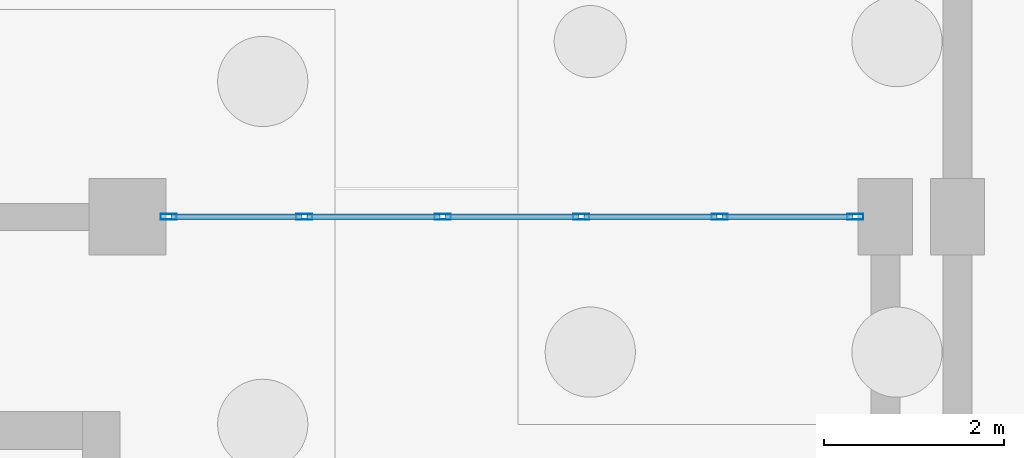
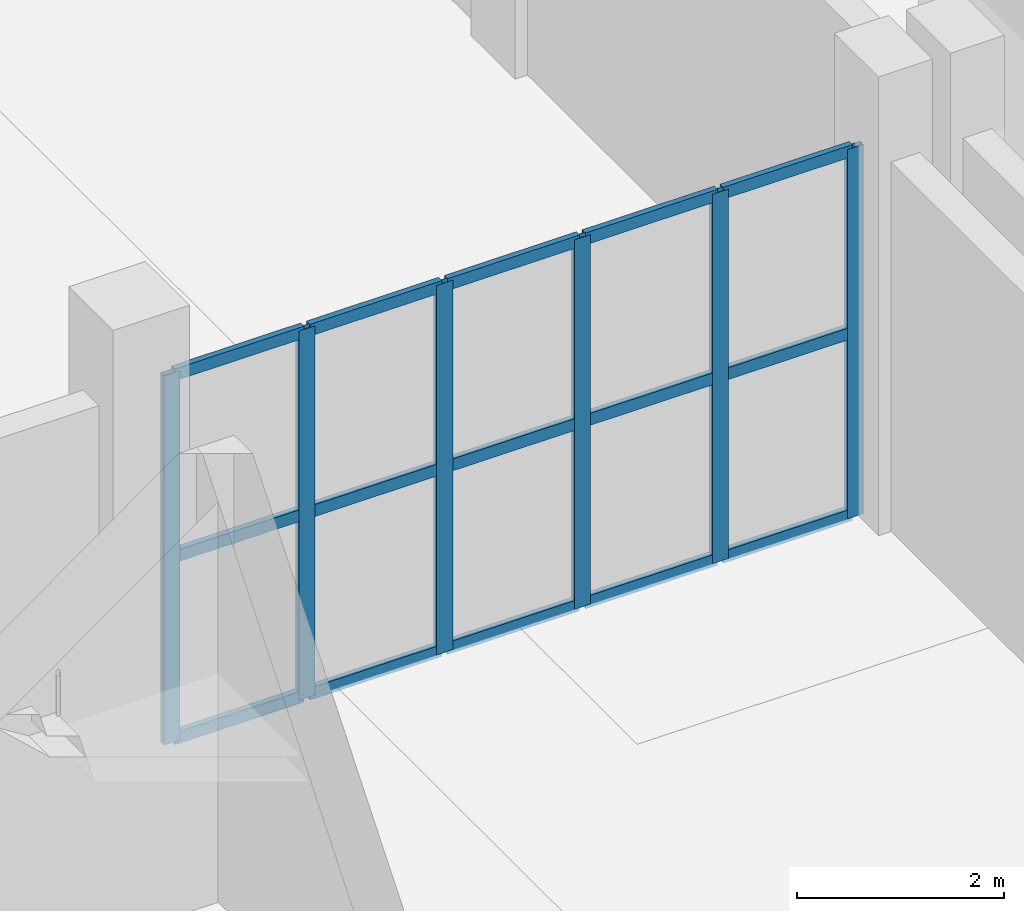
# One storey, part 44 of 98: 21 members, 1 element without a shape of its own.
"""IFC4 building model written with IfcOpenShell, lengths in metres."""

from ifc_helpers import new_model, si_unit, direction, frame, origin, origin_2d, place, context, subcontext, project, spatial, hollow_rectangle, extrude, material, layer, layer_set, material_profile, profile_set, type_object, element, aggregate, save


model = new_model("IFC4")

# Units and contexts
model_context = context("Model", 3, precision=1e-05, world=origin(), true_north=direction((0.0, 1.0)))
body_context = subcontext(model_context, "Body", "Model", "MODEL_VIEW")
ifc_project = project(units=[si_unit("LENGTHUNIT", "METRE"), si_unit("AREAUNIT", "SQUARE_METRE"), si_unit("VOLUMEUNIT", "CUBIC_METRE"), si_unit("PLANEANGLEUNIT", "RADIAN"), si_unit("MASSUNIT", "GRAM", prefix="KILO")], contexts=[model_context])

# Site, building, storey
site_placement = place(None, origin())
site = spatial("IfcSite", under=ifc_project, at=site_placement, CompositionType="ELEMENT")
building_placement = place(site_placement, origin())
building = spatial("IfcBuilding", under=site, at=building_placement, Name="Xazarin Passage Department Store", CompositionType="ELEMENT")
storey_placement = place(building_placement, origin())
storey = spatial("IfcBuildingStorey", under=building, at=storey_placement, Name="L00", CompositionType="ELEMENT", Elevation=0.0)

# Curtain wall, members
ifc_material = material(Name="Bronze anodised aluminium", Category="aluminium")
ifc_layer = layer(ifc_material, 0.169921875)
ifc_layer_set = layer_set([ifc_layer], Name="Bronze anodised aluminium")
curtain_wall_type = type_object("IfcCurtainWallType", Name="ARC-CW-ARC2", PredefinedType="NOTDEFINED", material=ifc_layer_set)
curtain_wall_placement = place(storey_placement, origin())
curtain_wall = element("IfcCurtainWall", 1, at=curtain_wall_placement, inside=storey, type_object=curtain_wall_type, Name="L00 V2N Curtain Wall 109", PredefinedType="NOTDEFINED")
ifc_material_profile_1 = material_profile(ifc_material, hollow_rectangle(XDim=0.06494140625, YDim=0.179931640625, WallThickness=0.00390625, at=origin_2d()), Name="ALU 65x180")
ifc_profile_set_1 = profile_set([ifc_material_profile_1], Name="Bronze anodised aluminium")
member_type_1 = type_object("IfcMemberType", Name="ARC-CWM-65x180", PredefinedType="MULLION", material=ifc_profile_set_1)
member_1_placement = place(storey_placement, frame((93.657470703125, 93.199951171875, 0.0), z_axis=(0.0, 0.0, 1.0), x_axis=(0.0, 1.0, 0.0)))
member_1 = element("IfcMember", 2, at=member_1_placement, type_object=member_type_1, Name="CW4 mullion 1", PredefinedType="MULLION", context=body_context, shape_type="SweptSolid", body=[
    extrude(hollow_rectangle(XDim=0.06494140625, YDim=0.179931640625, WallThickness=0.00390625, at=origin_2d()), origin(), (0.0, 0.0, 1.0), 4.35009765625),
])
member_2_placement = place(storey_placement, frame((95.159912109375, 93.199951171875, 0.0), z_axis=(0.0, 0.0, 1.0), x_axis=(0.0, 1.0, 0.0)))
member_2 = element("IfcMember", 3, at=member_2_placement, type_object=member_type_1, Name="CW4 mullion 2", PredefinedType="MULLION", context=body_context, shape_type="SweptSolid", body=[
    extrude(hollow_rectangle(XDim=0.06494140625, YDim=0.179931640625, WallThickness=0.00390625, at=origin_2d()), origin(), (0.0, 0.0, 1.0), 4.35009765625),
])
member_3_placement = place(storey_placement, frame((96.695068359375, 93.199951171875, 0.0), z_axis=(0.0, 0.0, 1.0), x_axis=(0.0, 1.0, 0.0)))
member_3 = element("IfcMember", 4, at=member_3_placement, type_object=member_type_1, Name="CW4 mullion 3", PredefinedType="MULLION", context=body_context, shape_type="SweptSolid", body=[
    extrude(hollow_rectangle(XDim=0.06494140625, YDim=0.179931640625, WallThickness=0.00390625, at=origin_2d()), origin(), (0.0, 0.0, 1.0), 4.35009765625),
])
member_4_placement = place(storey_placement, frame((98.22998046875, 93.199951171875, 0.0), z_axis=(0.0, 0.0, 1.0), x_axis=(0.0, 1.0, 0.0)))
member_4 = element("IfcMember", 5, at=member_4_placement, type_object=member_type_1, Name="CW4 mullion 4", PredefinedType="MULLION", context=body_context, shape_type="SweptSolid", body=[
    extrude(hollow_rectangle(XDim=0.06494140625, YDim=0.179931640625, WallThickness=0.00390625, at=origin_2d()), origin(), (0.0, 0.0, 1.0), 4.35009765625),
])
member_5_placement = place(storey_placement, frame((99.764892578125, 93.199951171875, 0.0), z_axis=(0.0, 0.0, 1.0), x_axis=(0.0, 1.0, 0.0)))
member_5 = element("IfcMember", 6, at=member_5_placement, type_object=member_type_1, Name="CW4 mullion 5", PredefinedType="MULLION", context=body_context, shape_type="SweptSolid", body=[
    extrude(hollow_rectangle(XDim=0.06494140625, YDim=0.179931640625, WallThickness=0.00390625, at=origin_2d()), origin(), (0.0, 0.0, 1.0), 4.35009765625),
])
member_6_placement = place(storey_placement, frame((101.267578125, 93.199951171875, 0.0), z_axis=(0.0, 0.0, 1.0), x_axis=(0.0, 1.0, 0.0)))
member_6 = element("IfcMember", 7, at=member_6_placement, type_object=member_type_1, Name="CW4 mullion 6", PredefinedType="MULLION", context=body_context, shape_type="SweptSolid", body=[
    extrude(hollow_rectangle(XDim=0.06494140625, YDim=0.179931640625, WallThickness=0.00390625, at=origin_2d()), origin(), (0.0, 0.0, 1.0), 4.35009765625),
])
ifc_material_profile_2 = material_profile(ifc_material, hollow_rectangle(XDim=0.06494140625, YDim=0.139892578125, WallThickness=0.00390625, at=origin_2d()), Name="ALU 65x140")
ifc_profile_set_2 = profile_set([ifc_material_profile_2], Name="Bronze anodised aluminium")
member_type_2 = type_object("IfcMemberType", Name="ARC-CWT-65x140", PredefinedType="USERDEFINED", material=ifc_profile_set_2)
member_7_placement = place(storey_placement, frame((93.68994140625, 93.199951171875, 0.032470703125), z_axis=(1.0, 0.0, 0.0), x_axis=(0.0, 1.0, 0.0)))
member_7 = element("IfcMember", 8, at=member_7_placement, type_object=member_type_2, Name="CW4 transom 1.1", ObjectType="TRANSOM", PredefinedType="USERDEFINED", context=body_context, shape_type="SweptSolid", body=[
    extrude(hollow_rectangle(XDim=0.06494140625, YDim=0.139892578125, WallThickness=0.00390625, at=origin_2d()), origin(), (0.0, 0.0, 1.0), 1.4375),
])
member_8_placement = place(storey_placement, frame((93.68994140625, 93.199951171875, 2.175048828125), z_axis=(1.0, 0.0, 0.0), x_axis=(0.0, 1.0, 0.0)))
member_8 = element("IfcMember", 9, at=member_8_placement, type_object=member_type_2, Name="CW4 transom 1.2", ObjectType="TRANSOM", PredefinedType="USERDEFINED", context=body_context, shape_type="SweptSolid", body=[
    extrude(hollow_rectangle(XDim=0.06494140625, YDim=0.139892578125, WallThickness=0.00390625, at=origin_2d()), origin(), (0.0, 0.0, 1.0), 1.4375),
])
member_9_placement = place(storey_placement, frame((93.68994140625, 93.199951171875, 4.3173828125), z_axis=(1.0, 0.0, 0.0), x_axis=(0.0, 1.0, 0.0)))
member_9 = element("IfcMember", 10, at=member_9_placement, type_object=member_type_2, Name="CW4 transom 1.3", ObjectType="TRANSOM", PredefinedType="USERDEFINED", context=body_context, shape_type="SweptSolid", body=[
    extrude(hollow_rectangle(XDim=0.06494140625, YDim=0.139892578125, WallThickness=0.00390625, at=origin_2d()), origin(), (0.0, 0.0, 1.0), 1.4375),
])
member_10_placement = place(storey_placement, frame((95.1923828125, 93.199951171875, 0.032470703125), z_axis=(1.0, 0.0, 0.0), x_axis=(0.0, 1.0, 0.0)))
member_10 = element("IfcMember", 11, at=member_10_placement, type_object=member_type_2, Name="CW4 transom 2.1", ObjectType="TRANSOM", PredefinedType="USERDEFINED", context=body_context, shape_type="SweptSolid", body=[
    extrude(hollow_rectangle(XDim=0.06494140625, YDim=0.139892578125, WallThickness=0.00390625, at=origin_2d()), origin(), (0.0, 0.0, 1.0), 1.47021484375),
])
member_11_placement = place(storey_placement, frame((95.1923828125, 93.199951171875, 2.175048828125), z_axis=(1.0, 0.0, 0.0), x_axis=(0.0, 1.0, 0.0)))
member_11 = element("IfcMember", 12, at=member_11_placement, type_object=member_type_2, Name="CW4 transom 2.2", ObjectType="TRANSOM", PredefinedType="USERDEFINED", context=body_context, shape_type="SweptSolid", body=[
    extrude(hollow_rectangle(XDim=0.06494140625, YDim=0.139892578125, WallThickness=0.00390625, at=origin_2d()), origin(), (0.0, 0.0, 1.0), 1.47021484375),
])
member_12_placement = place(storey_placement, frame((95.1923828125, 93.199951171875, 4.3173828125), z_axis=(1.0, 0.0, 0.0), x_axis=(0.0, 1.0, 0.0)))
member_12 = element("IfcMember", 13, at=member_12_placement, type_object=member_type_2, Name="CW4 transom 2.3", ObjectType="TRANSOM", PredefinedType="USERDEFINED", context=body_context, shape_type="SweptSolid", body=[
    extrude(hollow_rectangle(XDim=0.06494140625, YDim=0.139892578125, WallThickness=0.00390625, at=origin_2d()), origin(), (0.0, 0.0, 1.0), 1.47021484375),
])
member_13_placement = place(storey_placement, frame((96.7275390625, 93.199951171875, 0.032470703125), z_axis=(1.0, 0.0, 0.0), x_axis=(0.0, 1.0, 0.0)))
member_13 = element("IfcMember", 14, at=member_13_placement, type_object=member_type_2, Name="CW4 transom 3.1", ObjectType="TRANSOM", PredefinedType="USERDEFINED", context=body_context, shape_type="SweptSolid", body=[
    extrude(hollow_rectangle(XDim=0.06494140625, YDim=0.139892578125, WallThickness=0.00390625, at=origin_2d()), origin(), (0.0, 0.0, 1.0), 1.469970703125),
])
member_14_placement = place(storey_placement, frame((96.7275390625, 93.199951171875, 2.175048828125), z_axis=(1.0, 0.0, 0.0), x_axis=(0.0, 1.0, 0.0)))
member_14 = element("IfcMember", 15, at=member_14_placement, type_object=member_type_2, Name="CW4 transom 3.2", ObjectType="TRANSOM", PredefinedType="USERDEFINED", context=body_context, shape_type="SweptSolid", body=[
    extrude(hollow_rectangle(XDim=0.06494140625, YDim=0.139892578125, WallThickness=0.00390625, at=origin_2d()), origin(), (0.0, 0.0, 1.0), 1.469970703125),
])
member_15_placement = place(storey_placement, frame((96.7275390625, 93.199951171875, 4.3173828125), z_axis=(1.0, 0.0, 0.0), x_axis=(0.0, 1.0, 0.0)))
member_15 = element("IfcMember", 16, at=member_15_placement, type_object=member_type_2, Name="CW4 transom 3.3", ObjectType="TRANSOM", PredefinedType="USERDEFINED", context=body_context, shape_type="SweptSolid", body=[
    extrude(hollow_rectangle(XDim=0.06494140625, YDim=0.139892578125, WallThickness=0.00390625, at=origin_2d()), origin(), (0.0, 0.0, 1.0), 1.469970703125),
])
member_16_placement = place(storey_placement, frame((98.262451171875, 93.199951171875, 0.032470703125), z_axis=(1.0, 0.0, 0.0), x_axis=(0.0, 1.0, 0.0)))
member_16 = element("IfcMember", 17, at=member_16_placement, type_object=member_type_2, Name="CW4 transom 4.1", ObjectType="TRANSOM", PredefinedType="USERDEFINED", context=body_context, shape_type="SweptSolid", body=[
    extrude(hollow_rectangle(XDim=0.06494140625, YDim=0.139892578125, WallThickness=0.00390625, at=origin_2d()), origin(), (0.0, 0.0, 1.0), 1.469970703125),
])
member_17_placement = place(storey_placement, frame((98.262451171875, 93.199951171875, 2.175048828125), z_axis=(1.0, 0.0, 0.0), x_axis=(0.0, 1.0, 0.0)))
member_17 = element("IfcMember", 18, at=member_17_placement, type_object=member_type_2, Name="CW4 transom 4.2", ObjectType="TRANSOM", PredefinedType="USERDEFINED", context=body_context, shape_type="SweptSolid", body=[
    extrude(hollow_rectangle(XDim=0.06494140625, YDim=0.139892578125, WallThickness=0.00390625, at=origin_2d()), origin(), (0.0, 0.0, 1.0), 1.469970703125),
])
member_18_placement = place(storey_placement, frame((98.262451171875, 93.199951171875, 4.3173828125), z_axis=(1.0, 0.0, 0.0), x_axis=(0.0, 1.0, 0.0)))
member_18 = element("IfcMember", 19, at=member_18_placement, type_object=member_type_2, Name="CW4 transom 4.3", ObjectType="TRANSOM", PredefinedType="USERDEFINED", context=body_context, shape_type="SweptSolid", body=[
    extrude(hollow_rectangle(XDim=0.06494140625, YDim=0.139892578125, WallThickness=0.00390625, at=origin_2d()), origin(), (0.0, 0.0, 1.0), 1.469970703125),
])
member_19_placement = place(storey_placement, frame((99.797607421875, 93.199951171875, 0.032470703125), z_axis=(1.0, 0.0, 0.0), x_axis=(0.0, 1.0, 0.0)))
member_19 = element("IfcMember", 20, at=member_19_placement, type_object=member_type_2, Name="CW4 transom 5.1", ObjectType="TRANSOM", PredefinedType="USERDEFINED", context=body_context, shape_type="SweptSolid", body=[
    extrude(hollow_rectangle(XDim=0.06494140625, YDim=0.139892578125, WallThickness=0.00390625, at=origin_2d()), origin(), (0.0, 0.0, 1.0), 1.4375),
])
member_20_placement = place(storey_placement, frame((99.797607421875, 93.199951171875, 2.175048828125), z_axis=(1.0, 0.0, 0.0), x_axis=(0.0, 1.0, 0.0)))
member_20 = element("IfcMember", 21, at=member_20_placement, type_object=member_type_2, Name="CW4 transom 5.2", ObjectType="TRANSOM", PredefinedType="USERDEFINED", context=body_context, shape_type="SweptSolid", body=[
    extrude(hollow_rectangle(XDim=0.06494140625, YDim=0.139892578125, WallThickness=0.00390625, at=origin_2d()), origin(), (0.0, 0.0, 1.0), 1.4375),
])
member_21_placement = place(storey_placement, frame((99.797607421875, 93.199951171875, 4.3173828125), z_axis=(1.0, 0.0, 0.0), x_axis=(0.0, 1.0, 0.0)))
member_21 = element("IfcMember", 22, at=member_21_placement, type_object=member_type_2, Name="CW4 transom 5.3", ObjectType="TRANSOM", PredefinedType="USERDEFINED", context=body_context, shape_type="SweptSolid", body=[
    extrude(hollow_rectangle(XDim=0.06494140625, YDim=0.139892578125, WallThickness=0.00390625, at=origin_2d()), origin(), (0.0, 0.0, 1.0), 1.4375),
])
aggregate(curtain_wall, [member_1, member_2, member_3, member_4, member_5, member_6, member_7, member_8, member_9, member_10, member_11, member_12, member_13, member_14, member_15, member_16, member_17, member_18, member_19, member_20, member_21])

save(model, "model.ifc")
